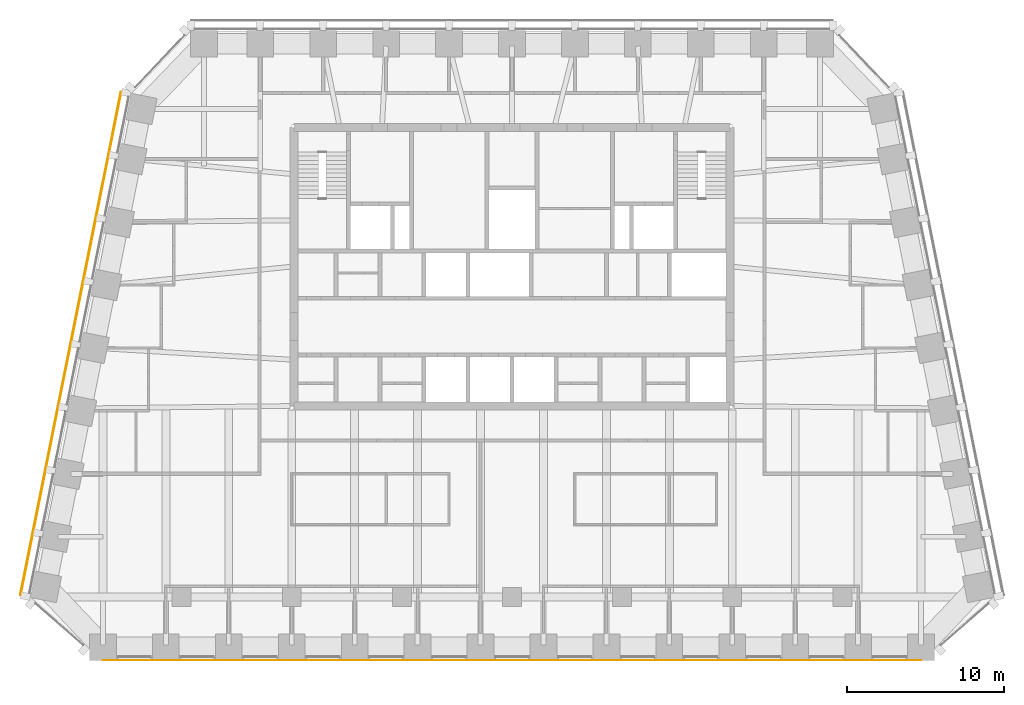
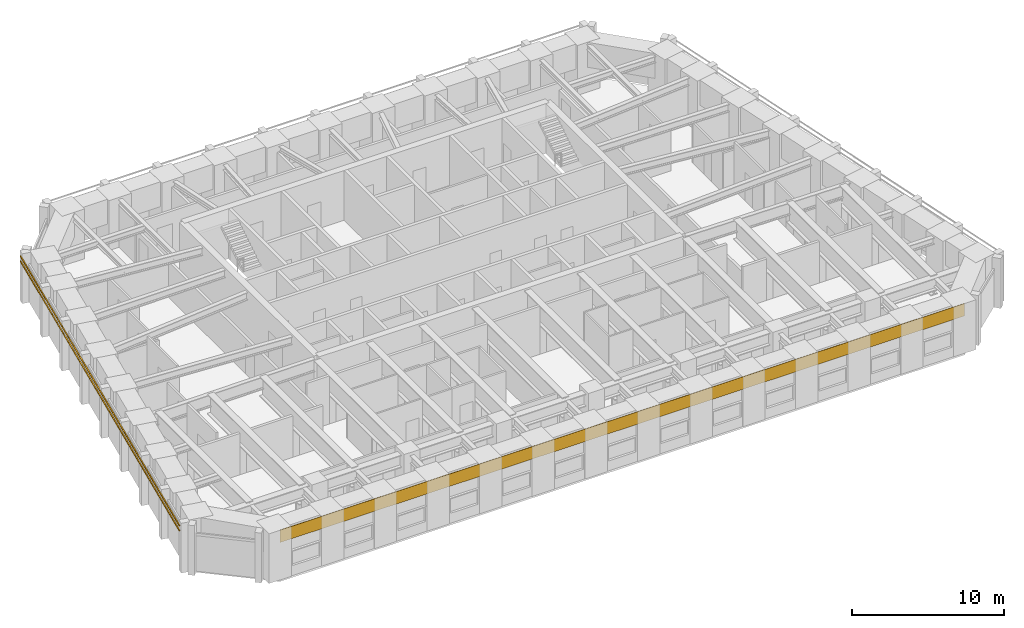
# One storey, part 11 of 13: 2 shading devices, 1 covering.
"""IFC4 building model written with IfcOpenShell, lengths in metres."""

import ifcopenshell
import ifcopenshell.guid

model = None  # the IFC model being written
_history = None  # IfcOwnerHistory: only IFC2X3 demands one
_inside = {}  # id of a spatial element -> (the spatial element, [elements in it])
_under = {}  # id of a project, library or spatial element -> (it, [spatial elements below it])
_declared = {}  # id of a project -> (the project, [libraries it declares])
_typed = {}  # id of a type object -> (the type object, [elements of that type])
_made_of = {}  # id of a material, layer set ... -> (it, [elements and type objects made of it])


def new_model(schema):
    """Start an empty IFC model of exactly this schema.

    Asked for "IFC4X3", IfcOpenShell would pick the latest addendum, in which some entities
    have other attributes; the version numbers below select the first issue.
    IFC2X3 requires an IfcOwnerHistory on every rooted entity: one is made here for all.
    """
    global model, _history
    if schema == "IFC4X3":
        model = ifcopenshell.file(schema_version=(4, 3, 0, 0))
    else:
        model = ifcopenshell.file(schema=schema)
    _inside.clear()
    _under.clear()
    _declared.clear()
    _typed.clear()
    _made_of.clear()
    _history = None
    if model.schema == "IFC2X3":
        org = make("IfcOrganization", Name="unknown")
        user = make(
            "IfcPersonAndOrganization",
            ThePerson=make("IfcPerson", FamilyName="unknown"),
            TheOrganization=org,
        )
        app = make(
            "IfcApplication",
            ApplicationDeveloper=org,
            Version="unknown",
            ApplicationFullName="unknown",
            ApplicationIdentifier="unknown",
        )
        _history = make(
            "IfcOwnerHistory",
            OwningUser=user,
            OwningApplication=app,
            ChangeAction="ADDED",
            CreationDate=0,
        )
    return model


def make(cls, **values):
    """One entity of the class cls with the attributes given. An attribute that is None is left unset."""
    return model.create_entity(
        cls, **{name: value for name, value in values.items() if value is not None}
    )


def rooted(cls, **values):
    """An entity with a GlobalId (a new one), such as an element, a storey or a relation."""
    return make(cls, GlobalId=ifcopenshell.guid.new(), OwnerHistory=_history, **values)


def si_unit(unit_type, name, prefix=None):
    """IfcSIUnit, for example si_unit("LENGTHUNIT", "METRE", prefix="MILLI")."""
    return make("IfcSIUnit", UnitType=unit_type, Prefix=prefix, Name=name)


def assignment(units):
    """IfcUnitAssignment: the units of a project."""
    return None if units is None else make("IfcUnitAssignment", Units=units)


def point(xyz):
    """IfcCartesianPoint."""
    return None if xyz is None else make("IfcCartesianPoint", Coordinates=xyz)


def direction(xyz):
    """IfcDirection."""
    return None if xyz is None else make("IfcDirection", DirectionRatios=xyz)


def frame(location, z_axis=None, x_axis=None):
    """IfcAxis2Placement3D, a coordinate frame: its origin and axes. An axis left out is left unset."""
    return make(
        "IfcAxis2Placement3D",
        Location=point(location),
        Axis=direction(z_axis),
        RefDirection=direction(x_axis),
    )


def frame_2d(location, x_axis=None):
    """IfcAxis2Placement2D, a coordinate frame in the plane: its origin and x axis."""
    return make(
        "IfcAxis2Placement2D", Location=point(location), RefDirection=direction(x_axis)
    )


def origin():
    """The frame at (0, 0, 0) with its axes left unset."""
    return frame((0.0, 0.0, 0.0))


def origin_2d():
    """The frame at (0, 0) in the plane with its x axis left unset."""
    return frame_2d((0.0, 0.0))


def place(relative_to, where):
    """IfcLocalPlacement: puts the frame where relative to a parent placement (None: the world)."""
    return make(
        "IfcLocalPlacement", PlacementRelTo=relative_to, RelativePlacement=where
    )


def context(
    kind, dimensions, precision=None, world=None, true_north=None, identifier=None
):
    """IfcGeometricRepresentationContext, for example the 3D "Model" context."""
    return make(
        "IfcGeometricRepresentationContext",
        ContextIdentifier=identifier,
        ContextType=kind,
        CoordinateSpaceDimension=dimensions,
        Precision=precision,
        WorldCoordinateSystem=world,
        TrueNorth=true_north,
    )


def subcontext(parent, identifier, kind, view, scale=None):
    """IfcGeometricRepresentationSubContext, for example "Body" below "Model"."""
    return make(
        "IfcGeometricRepresentationSubContext",
        ContextIdentifier=identifier,
        ContextType=kind,
        ParentContext=parent,
        TargetScale=scale,
        TargetView=view,
    )


def project(units=None, contexts=None):
    """IfcProject with its units and contexts."""
    return rooted(
        "IfcProject",
        Name="project",
        RepresentationContexts=contexts,
        UnitsInContext=assignment(units),
    )


def spatial(cls, under=None, at=None, **own):
    """A site, building, storey or space (cls), placed at a placement, below another one or the project."""
    s = rooted(cls, ObjectPlacement=at, **own)
    if under is not None:
        _under.setdefault(under.id(), (under, []))[1].append(s)
    return s


def profile(cls, at=None, kind="AREA", **sizes):
    """A parametric profile (cls). Its sizes go by their IFC names, for example OverallWidth=200.0."""
    return make(cls, ProfileType=kind, Position=at, **sizes)


def rectangle(**sizes):
    """IfcRectangleProfileDef."""
    return profile("IfcRectangleProfileDef", **sizes)


def extrude(swept, where, along, depth):
    """IfcExtrudedAreaSolid: the profile swept, set in the frame where, extruded along a direction by depth."""
    return make(
        "IfcExtrudedAreaSolid",
        SweptArea=swept,
        Position=where,
        ExtrudedDirection=direction(along),
        Depth=depth,
    )


def shape(context_of_items, identifier, shape_type, items):
    """IfcShapeRepresentation: the items that make up one representation, for example the "Body"."""
    return make(
        "IfcShapeRepresentation",
        ContextOfItems=context_of_items,
        RepresentationIdentifier=identifier,
        RepresentationType=shape_type,
        Items=items,
    )


def material(Name=None, Category=None):
    """IfcMaterial."""
    return make("IfcMaterial", Name=Name, Category=Category)


def layer(
    of_material, thickness, ventilated=None, Name=None, Category=None, Priority=None
):
    """IfcMaterialLayer: one layer of a wall or slab, of a material (None: an air gap)."""
    return make(
        "IfcMaterialLayer",
        Material=of_material,
        LayerThickness=thickness,
        IsVentilated=ventilated,
        Name=Name,
        Category=Category,
        Priority=Priority,
    )


def layer_set(layers, Name=None):
    """IfcMaterialLayerSet."""
    return make("IfcMaterialLayerSet", MaterialLayers=layers, LayerSetName=Name)


def material_profile(
    of_material, cross_section, Name=None, Category=None, Priority=None
):
    """IfcMaterialProfile: a cross section and its material."""
    return make(
        "IfcMaterialProfile",
        Name=Name,
        Material=of_material,
        Profile=cross_section,
        Priority=Priority,
        Category=Category,
    )


def profile_set(profiles, Name=None, composite=None):
    """IfcMaterialProfileSet."""
    return make(
        "IfcMaterialProfileSet",
        Name=Name,
        MaterialProfiles=profiles,
        CompositeProfile=composite,
    )


def made_of(thing, what):
    """Note that an element or type object is made of a material, layer set ...; save() writes the relation."""
    if what is not None:
        _made_of.setdefault(what.id(), (what, []))[1].append(thing)
    return thing


def type_object(cls, material=None, **own):
    """A type object (cls), such as IfcWallType, which elements share."""
    return made_of(rooted(cls, **own), material)


def element(
    cls,
    number,
    at=None,
    inside=None,
    cuts=None,
    type_object=None,
    material=None,
    context=None,
    identifier="Body",
    shape_type=None,
    held_by="IfcProductDefinitionShape",
    body=None,
    shapes=None,
    **own,
):
    """One element of the class cls, such as IfcWall. Its Tag is "e" and its number.

    at: its placement. inside: the storey or other place that contains it. cuts: it is an
    opening in that element (IfcRelVoidsElement). A single representation is given by context,
    identifier, shape_type and body (its items); several are given by shapes. held_by: the class
    of the entity that holds the representations. save() writes the other relations.
    """
    e = rooted(cls, Tag="e%d" % number, ObjectPlacement=at, **own)
    if body is not None:
        shapes = [shape(context, identifier, shape_type, body)]
    if shapes is not None:
        e.Representation = make(held_by, Representations=shapes)
    if inside is not None:
        _inside.setdefault(inside.id(), (inside, []))[1].append(e)
    if cuts is not None:
        rooted(
            "IfcRelVoidsElement", RelatingBuildingElement=cuts, RelatedOpeningElement=e
        )
    if type_object is not None:
        _typed.setdefault(type_object.id(), (type_object, []))[1].append(e)
    return made_of(e, material)


def aggregate(whole, parts):
    """IfcRelAggregates: a whole, such as a stair, and the parts it consists of."""
    return rooted("IfcRelAggregates", RelatingObject=whole, RelatedObjects=parts)


def save(model, path):
    """Write the relations noted so far, then the file.

    IfcRelAggregates (storeys below a building ...), IfcRelContainedInSpatialStructure (elements
    in a storey), IfcRelDefinesByType, IfcRelAssociatesMaterial and IfcRelDeclares: one each for
    every whole, place, type object, material and project.
    """
    for whole, parts in _under.values():
        aggregate(whole, parts)
    for where, things in _inside.values():
        rooted(
            "IfcRelContainedInSpatialStructure",
            RelatedElements=things,
            RelatingStructure=where,
        )
    for kind, things in _typed.values():
        rooted("IfcRelDefinesByType", RelatedObjects=things, RelatingType=kind)
    for what, things in _made_of.values():
        rooted("IfcRelAssociatesMaterial", RelatedObjects=things, RelatingMaterial=what)
    for by, libraries in _declared.values():
        rooted("IfcRelDeclares", RelatingContext=by, RelatedDefinitions=libraries)
    model.write(path)


model = new_model("IFC4")

# Units and contexts
model_context = context("Model", 3, precision=1e-05, world=origin(), true_north=direction((0.0, 1.0)))
body_context = subcontext(model_context, "Body", "Model", "MODEL_VIEW")
ifc_project = project(units=[si_unit("LENGTHUNIT", "METRE"), si_unit("AREAUNIT", "SQUARE_METRE"), si_unit("VOLUMEUNIT", "CUBIC_METRE"), si_unit("PLANEANGLEUNIT", "RADIAN"), si_unit("MASSUNIT", "GRAM", prefix="KILO")], contexts=[model_context])

# Site, building, storey
site_placement = place(None, origin())
site = spatial("IfcSite", under=ifc_project, at=site_placement, CompositionType="ELEMENT")
building_placement = place(site_placement, origin())
building = spatial("IfcBuilding", under=site, at=building_placement, Name="Isbrekke Arena Tower", CompositionType="ELEMENT")
storey_placement = place(building_placement, frame((0.0, 0.0, 280.0)))
storey = spatial("IfcBuildingStorey", under=building, at=storey_placement, Name="L65", CompositionType="ELEMENT", Elevation=280.0)

# Shading devices
ifc_material_1 = material(Name="Terracotta", Category="masonry")
ifc_material_profile = material_profile(ifc_material_1, rectangle(XDim=0.06005859375, YDim=0.06005859375, at=origin_2d()), Name="BAGUETTE 60X60")
ifc_profile_set = profile_set([ifc_material_profile], Name="Terracotta")
shading_device_type = type_object("IfcShadingDeviceType", Name="BG1 TERRACOTTA BAGUETTE 60 x 60", PredefinedType="USERDEFINED", material=ifc_profile_set)
for number, where, z_axis, x_axis, name in (
    (1, (-24.84228515625, 26.12841796875, 3.280029296875), (-0.196113257737, -0.980581251167, 0.0), (0.980581251167, -0.196113257737, 0.0), "BG1 terracotta baguette W1 L65"),
    (2, (-24.84228515625, 26.12841796875, 3.679931640625), (-0.196113257737, -0.980581251167, 0.0), (0.980581251167, -0.196113257737, 0.0), "BG1 terracotta baguette W2 L65"),
):
    element("IfcShadingDevice", number, at=place(storey_placement, frame(where, z_axis=z_axis, x_axis=x_axis)), inside=storey, type_object=shading_device_type, Name=name, ObjectType="TERRACOTTA BAGUETTE", PredefinedType="USERDEFINED", context=body_context, shape_type="SweptSolid", body=[
        extrude(rectangle(XDim=0.06005859375, YDim=0.06005859375, at=origin_2d()), origin(), (0.0, 0.0, 1.0), 32.6337890625),
    ])

# Covering
ifc_material_2 = material(Name="Pre-patinated copper sheet", Category="metal")
ifc_layer = layer(ifc_material_2, 0.02001953125)
ifc_layer_set = layer_set([ifc_layer], Name="CL1 COPPER CLADDING")
covering_type = type_object("IfcCoveringType", Name="CL1 COPPER CLADDING", PredefinedType="CLADDING", material=ifc_layer_set)
covering_placement = place(storey_placement, frame((0.0, -10.010009765625, 3.0), z_axis=(0.0, 0.0, 1.0), x_axis=(1.0, 0.0, 0.0)))
element("IfcCovering", 3, at=covering_placement, inside=storey, type_object=covering_type, Name="CL1 copper cladding L65", PredefinedType="CLADDING", context=body_context, shape_type="SweptSolid", body=[
    extrude(rectangle(XDim=52.0, YDim=0.02001953125, at=origin_2d()), origin(), (0.0, 0.0, 1.0), 1.0),
])

save(model, "model.ifc")
